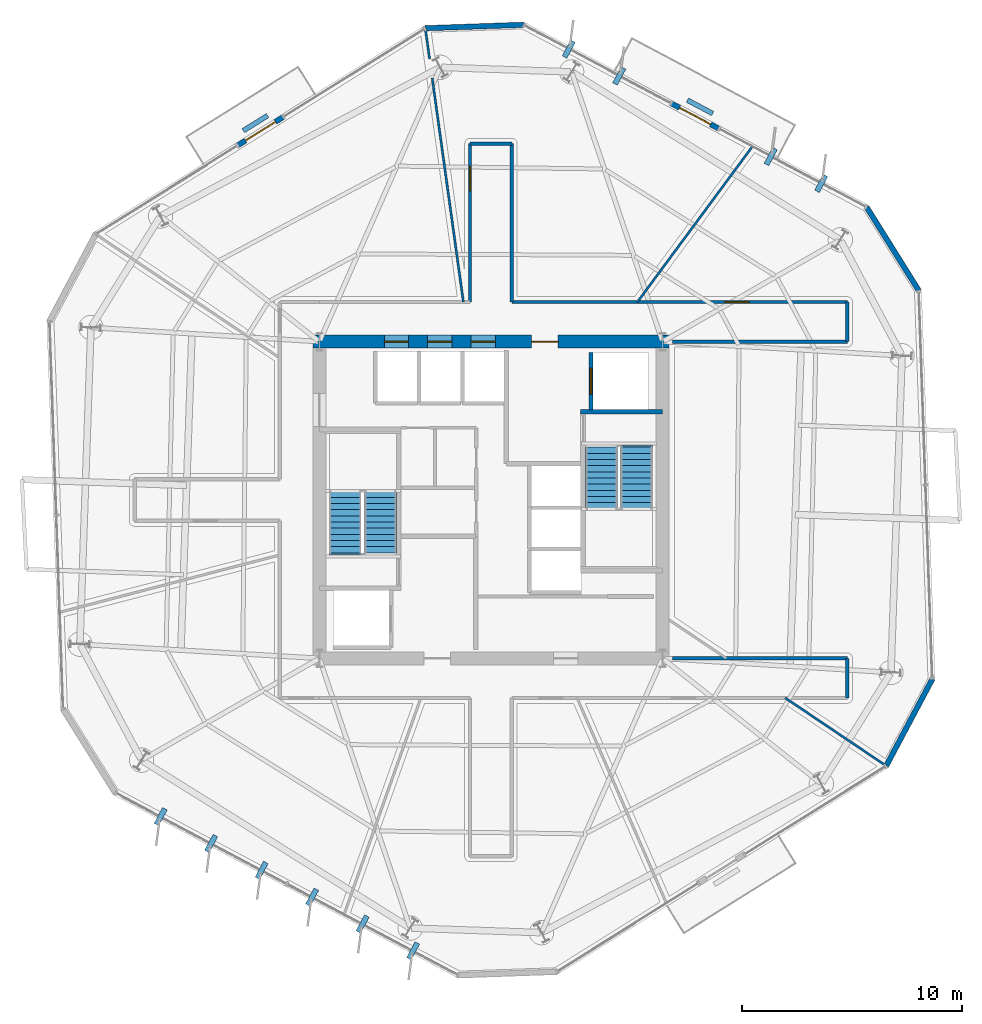
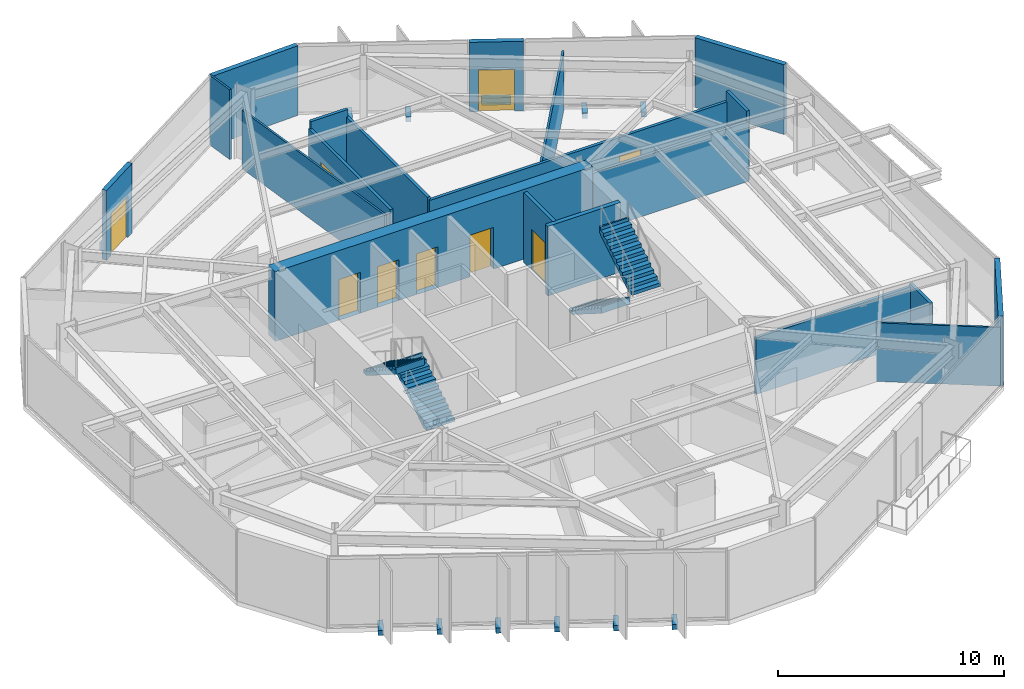
# One storey, part 8 of 12: 22 walls, 10 discrete accessories, 9 doors, 4 stair flights, 9 openings, 2 elements without a shape of their own.
"""IFC4 building model written with IfcOpenShell, lengths in metres."""

from ifc_helpers import new_model, si_unit, direction, frame, frame_2d, origin, origin_2d, place, context, subcontext, project, spatial, polyline, rectangle, outline, extrude, material, layer, layer_set, type_object, element, fill, aggregate, save


model = new_model("IFC4")

# Units and contexts
model_context = context("Model", 3, precision=1e-05, world=origin(), true_north=direction((0.0, 1.0)))
body_context = subcontext(model_context, "Body", "Model", "MODEL_VIEW")
ifc_project = project(units=[si_unit("LENGTHUNIT", "METRE"), si_unit("AREAUNIT", "SQUARE_METRE"), si_unit("VOLUMEUNIT", "CUBIC_METRE"), si_unit("PLANEANGLEUNIT", "RADIAN"), si_unit("MASSUNIT", "GRAM", prefix="KILO")], contexts=[model_context])

# Site, building, storey
site_placement = place(None, origin())
site = spatial("IfcSite", under=ifc_project, at=site_placement, CompositionType="ELEMENT")
building_placement = place(site_placement, origin())
building = spatial("IfcBuilding", under=site, at=building_placement, Name="Kranzbogen Civic Tower", CompositionType="ELEMENT")
storey_placement = place(building_placement, frame((0.0, 0.0, 150.39990234375)))
storey = spatial("IfcBuildingStorey", under=building, at=storey_placement, Name="L36", CompositionType="ELEMENT", Elevation=150.39990234375)

# Wall, opening, door
ifc_material_1 = material(Name="Double-Stud Acoustic Gypsum Partition")
ifc_layer_1 = layer(ifc_material_1, 0.14990234375, Name="Double-Stud Acoustic Gypsum Partition")
ifc_layer_set_1 = layer_set([ifc_layer_1], Name="Double-Stud Acoustic Gypsum Partition")
wall_type_1 = type_object("IfcWallType", Name="Acoustic Corridor and Clinical Partition 150 mm", PredefinedType="PARTITIONING", material=ifc_layer_set_1)
wall_1_placement = place(storey_placement, frame((24.050048828125, 34.0, 0.0), z_axis=(0.0, 0.0, 1.0), x_axis=(0.0, 1.0, 0.0)))
wall_1 = element("IfcWall", 1, at=wall_1_placement, inside=storey, type_object=wall_type_1, Name="L36 corridor partition 11", PredefinedType="PARTITIONING", context=body_context, shape_type="SweptSolid", body=[
    extrude(rectangle(XDim=7.199951171875, YDim=0.14990234375, at=frame_2d((3.60009765625, 0.0))), origin(), (0.0, 0.0, 1.0), 3.360107421875),
])
opening_1_placement = place(wall_1_placement, frame((5.06396484375, 0.0, 0.0)))
opening_1 = element("IfcOpeningElement", 2, at=opening_1_placement, cuts=wall_1, Name="Opening D-COR60", PredefinedType="OPENING", context=body_context, shape_type="SweptSolid", body=[
    extrude(rectangle(XDim=1.10009765625, YDim=2.199951171875, at=frame_2d((0.550048828125, 1.10009765625))), frame((0.0, 0.0849609375, 0.0), z_axis=(0.0, -1.0, 0.0), x_axis=(1.0, 0.0, 0.0)), (0.0, 0.0, 1.0), 0.169921875),
])
ifc_material_2 = material(Name="Oak Timber and Fire Core", Category="wood")
door_type_1 = type_object("IfcDoorType", Name="Corridor Acoustic Fire Door 1100x2200", OperationType="NOTDEFINED", PredefinedType="DOOR", material=ifc_material_2)
door_1_placement = place(opening_1_placement, origin())
door_1 = element("IfcDoor", 3, at=door_1_placement, inside=storey, type_object=door_type_1, Name="L36 Central Mail Post Room door", OperationType="SINGLE_SWING_LEFT", OverallHeight=2.199951171875, OverallWidth=1.10009765625, PredefinedType="DOOR", context=body_context, shape_type="SweptSolid", body=[
    extrude(rectangle(XDim=1.10009765625, YDim=2.199951171875, at=frame_2d((0.550048828125, 1.10009765625))), frame((0.0, 0.02490234375, 0.0), z_axis=(0.0, -1.0, 0.0), x_axis=(1.0, 0.0, 0.0)), (0.0, 0.0, 1.0), 0.050048828125),
])
fill(opening_1, door_1)

# Walls
wall_2_placement = place(storey_placement, frame((24.050048828125, 41.199951171875, 0.0), z_axis=(0.0, 0.0, 1.0), x_axis=(1.0, 0.0, 0.0)))
element("IfcWall", 4, at=wall_2_placement, inside=storey, type_object=wall_type_1, Name="L36 corridor partition 12", PredefinedType="PARTITIONING", context=body_context, shape_type="SweptSolid", body=[
    extrude(rectangle(XDim=1.89990234375, YDim=0.14990234375, at=frame_2d((0.949951171875, 0.0))), origin(), (0.0, 0.0, 1.0), 3.760009765625),
])
wall_3_placement = place(storey_placement, frame((25.949951171875, 41.199951171875, 0.0), z_axis=(0.0, 0.0, 1.0), x_axis=(0.0, -1.0, 0.0)))
element("IfcWall", 5, at=wall_3_placement, inside=storey, type_object=wall_type_1, Name="L36 corridor partition 13", PredefinedType="PARTITIONING", context=body_context, shape_type="SweptSolid", body=[
    extrude(rectangle(XDim=7.199951171875, YDim=0.14990234375, at=frame_2d((3.60009765625, 0.0))), origin(), (0.0, 0.0, 1.0), 3.360107421875),
])

# Wall, opening, door
wall_4_placement = place(storey_placement, frame((25.949951171875, 34.0, 0.0), z_axis=(0.0, 0.0, 1.0), x_axis=(1.0, 0.0, 0.0)))
wall_4 = element("IfcWall", 6, at=wall_4_placement, inside=storey, type_object=wall_type_1, Name="L36 corridor partition 14", PredefinedType="PARTITIONING", context=body_context, shape_type="SweptSolid", body=[
    extrude(rectangle(XDim=15.25, YDim=0.14990234375, at=frame_2d((7.625, 0.0))), origin(), (0.0, 0.0, 1.0), 3.210205078125),
])
opening_2_placement = place(wall_4_placement, frame((9.68701171875, 0.0, 0.0)))
opening_2 = element("IfcOpeningElement", 7, at=opening_2_placement, cuts=wall_4, Name="Opening D-COR60", PredefinedType="OPENING", context=body_context, shape_type="SweptSolid", body=[
    extrude(rectangle(XDim=1.10009765625, YDim=2.199951171875, at=frame_2d((0.550048828125, 1.10009765625))), frame((0.0, 0.0849609375, 0.0), z_axis=(0.0, -1.0, 0.0), x_axis=(1.0, 0.0, 0.0)), (0.0, 0.0, 1.0), 0.169921875),
])
door_2_placement = place(opening_2_placement, origin())
door_2 = element("IfcDoor", 8, at=door_2_placement, inside=storey, type_object=door_type_1, Name="L36 Operations Security Control Room door", OperationType="SINGLE_SWING_RIGHT", OverallHeight=2.199951171875, OverallWidth=1.10009765625, PredefinedType="DOOR", context=body_context, shape_type="SweptSolid", body=[
    extrude(rectangle(XDim=1.10009765625, YDim=2.199951171875, at=frame_2d((0.550048828125, 1.10009765625))), frame((0.0, 0.02490234375, 0.0), z_axis=(0.0, -1.0, 0.0), x_axis=(1.0, 0.0, 0.0)), (0.0, 0.0, 1.0), 0.050048828125),
])
fill(opening_2, door_2)

# Walls
wall_5_placement = place(storey_placement, frame((41.199951171875, 34.0, 0.0), z_axis=(0.0, 0.0, 1.0), x_axis=(0.0, -1.0, 0.0)))
element("IfcWall", 9, at=wall_5_placement, inside=storey, type_object=wall_type_1, Name="L36 corridor partition 15", PredefinedType="PARTITIONING", context=body_context, shape_type="SweptSolid", body=[
    extrude(rectangle(XDim=1.800048828125, YDim=0.14990234375, at=frame_2d((0.89990234375, 0.0))), origin(), (0.0, 0.0, 1.0), 3.760009765625),
])
wall_6_placement = place(storey_placement, frame((41.199951171875, 32.199951171875, 0.0), z_axis=(0.0, 0.0, 1.0), x_axis=(-1.0, 0.0, 0.0)))
element("IfcWall", 10, at=wall_6_placement, inside=storey, type_object=wall_type_1, Name="L36 corridor partition 16", PredefinedType="PARTITIONING", context=body_context, shape_type="SweptSolid", body=[
    extrude(rectangle(XDim=7.952880859375, YDim=0.14990234375, at=frame_2d((3.9765625, 0.0))), origin(), (0.0, 0.0, 1.0), 3.210205078125),
])
wall_7_placement = place(storey_placement, frame((33.2470703125, 17.800048828125, 0.0), z_axis=(0.0, 0.0, 1.0), x_axis=(1.0, 0.0, 0.0)))
element("IfcWall", 11, at=wall_7_placement, inside=storey, type_object=wall_type_1, Name="L36 corridor partition 17", PredefinedType="PARTITIONING", context=body_context, shape_type="SweptSolid", body=[
    extrude(rectangle(XDim=7.952880859375, YDim=0.14990234375, at=frame_2d((3.9765625, 0.0))), origin(), (0.0, 0.0, 1.0), 3.050048828125),
])
wall_8_placement = place(storey_placement, frame((41.199951171875, 17.800048828125, 0.0), z_axis=(0.0, 0.0, 1.0), x_axis=(0.0, -1.0, 0.0)))
element("IfcWall", 12, at=wall_8_placement, inside=storey, type_object=wall_type_1, Name="L36 corridor partition 18", PredefinedType="PARTITIONING", context=body_context, shape_type="SweptSolid", body=[
    extrude(rectangle(XDim=1.800048828125, YDim=0.14990234375, at=frame_2d((0.89990234375, 0.0))), origin(), (0.0, 0.0, 1.0), 3.210205078125),
])
ifc_material_3 = material(Name="Architectural Precast Terracotta Concrete C40/50", Category="masonry")
ifc_layer_2 = layer(ifc_material_3, 0.219970703125, Name="Architectural Precast Terracotta Concrete C40/50")
ifc_layer_set_2 = layer_set([ifc_layer_2], Name="Architectural Precast Terracotta Concrete C40/50")
wall_type_2 = type_object("IfcWallType", Name="Architectural Tree Planter Kerb Wall 220 mm", PredefinedType="USERDEFINED", material=ifc_layer_set_2)
wall_9_placement = place(storey_placement, frame((14.843994140625, 42.47802734375, 0.0), z_axis=(0.0, 0.0, 1.0), x_axis=(-0.848272680747, -0.52955968417, 0.0)))
element("IfcWall", 13, at=wall_9_placement, inside=storey, type_object=wall_type_2, Name="L36 landscaped tree balcony planter L36-TB1", ObjectType="PLANTER_WALL", PredefinedType="USERDEFINED", context=body_context, shape_type="SweptSolid", body=[
    extrude(rectangle(XDim=1.299072265625, YDim=0.219970703125, at=frame_2d((0.6494140625, 0.0))), origin(), (0.0, 0.0, 1.0), 0.400146484375),
])
wall_10_placement = place(storey_placement, frame((35.0791015625, 42.571044921875, 0.0), z_axis=(0.0, 0.0, 1.0), x_axis=(-0.883152186811, 0.469086575091, 0.0)))
element("IfcWall", 14, at=wall_10_placement, inside=storey, type_object=wall_type_2, Name="L36 landscaped tree balcony planter L36-ST", ObjectType="PLANTER_WALL", PredefinedType="USERDEFINED", context=body_context, shape_type="SweptSolid", body=[
    extrude(rectangle(XDim=1.300048828125, YDim=0.219970703125, at=frame_2d((0.64990234375, 0.0))), origin(), (0.0, 0.0, 1.0), 0.400146484375),
])

# Wall, openings, doors
ifc_material_4 = material(Name="Concrete C55/67", Category="concrete")
ifc_layer_3 = layer(ifc_material_4, 0.60009765625, Name="Concrete C55/67")
ifc_layer_set_3 = layer_set([ifc_layer_3], Name="Concrete C55/67")
wall_type_3 = type_object("IfcWallType", Name="Central Core Shear Wall 600 mm", PredefinedType="SHEAR", material=ifc_layer_set_3)
wall_11_placement = place(storey_placement, frame((33.10009765625, 32.199951171875, 0.0), z_axis=(0.0, 0.0, 1.0), x_axis=(-1.0, 0.0, 0.0)))
wall_11 = element("IfcWall", 15, at=wall_11_placement, inside=storey, type_object=wall_type_3, Name="L36 central core North shear wall", PredefinedType="SHEAR", context=body_context, shape_type="SweptSolid", body=[
    extrude(rectangle(XDim=16.2001953125, YDim=0.60009765625, at=frame_2d((8.10009765625, 0.0))), origin(), (0.0, 0.0, 1.0), 3.760009765625),
])
opening_3_placement = place(wall_11_placement, frame((5.050048828125, 0.0, 0.0)))
opening_3 = element("IfcOpeningElement", 16, at=opening_3_placement, cuts=wall_11, Name="Opening D-EX120", PredefinedType="OPENING", context=body_context, shape_type="SweptSolid", body=[
    extrude(rectangle(XDim=1.199951171875, YDim=2.25, at=frame_2d((0.60009765625, 1.125))), frame((0.0, 0.31005859375, 0.0), z_axis=(0.0, -1.0, 0.0), x_axis=(1.0, 0.0, 0.0)), (0.0, 0.0, 1.0), 0.6201171875),
])
opening_4_placement = place(wall_11_placement, frame((11.85009765625, 0.0, 0.0)))
opening_4 = element("IfcOpeningElement", 17, at=opening_4_placement, cuts=wall_11, Name="Opening LD-MP-01", PredefinedType="OPENING", context=body_context, shape_type="SweptSolid", body=[
    extrude(rectangle(XDim=1.10009765625, YDim=2.199951171875, at=frame_2d((0.550048828125, 1.10009765625))), frame((0.0, 0.31005859375, 0.0), z_axis=(0.0, -1.0, 0.0), x_axis=(1.0, 0.0, 0.0)), (0.0, 0.0, 1.0), 0.6201171875),
])
opening_5_placement = place(wall_11_placement, frame((9.875, 0.0, 0.0)))
opening_5 = element("IfcOpeningElement", 18, at=opening_5_placement, cuts=wall_11, Name="Opening LD-MP-02", PredefinedType="OPENING", context=body_context, shape_type="SweptSolid", body=[
    extrude(rectangle(XDim=1.10009765625, YDim=2.199951171875, at=frame_2d((0.550048828125, 1.10009765625))), frame((0.0, 0.31005859375, 0.0), z_axis=(0.0, -1.0, 0.0), x_axis=(1.0, 0.0, 0.0)), (0.0, 0.0, 1.0), 0.6201171875),
])
opening_6_placement = place(wall_11_placement, frame((7.89990234375, 0.0, 0.0)))
opening_6 = element("IfcOpeningElement", 19, at=opening_6_placement, cuts=wall_11, Name="Opening LD-MP-03", PredefinedType="OPENING", context=body_context, shape_type="SweptSolid", body=[
    extrude(rectangle(XDim=1.10009765625, YDim=2.199951171875, at=frame_2d((0.550048828125, 1.10009765625))), frame((0.0, 0.31005859375, 0.0), z_axis=(0.0, -1.0, 0.0), x_axis=(1.0, 0.0, 0.0)), (0.0, 0.0, 1.0), 0.6201171875),
])
ifc_material_5 = material(Name="Steel S355", Category="steel")
door_type_2 = type_object("IfcDoorType", Name="Exit Passageway Fire Door 1200x2250", OperationType="NOTDEFINED", PredefinedType="DOOR", material=ifc_material_5)
door_3_placement = place(opening_3_placement, origin())
door_3 = element("IfcDoor", 20, at=door_3_placement, inside=storey, type_object=door_type_2, Name="L36 East firefighting lobby corridor door", OperationType="SINGLE_SWING_RIGHT", OverallHeight=2.25, OverallWidth=1.199951171875, PredefinedType="DOOR", context=body_context, shape_type="SweptSolid", body=[
    extrude(rectangle(XDim=1.199951171875, YDim=2.25, at=frame_2d((0.60009765625, 1.125))), frame((0.0, 0.02490234375, 0.0), z_axis=(0.0, -1.0, 0.0), x_axis=(1.0, 0.0, 0.0)), (0.0, 0.0, 1.0), 0.050048828125),
])
fill(opening_3, door_3)
ifc_material_6 = material(Name="Pale Anodised Aluminium", Category="aluminium")
door_type_3 = type_object("IfcDoorType", Name="Passenger Lift Sliding Landing Door 1100x2200", OperationType="DOUBLE_DOOR_SLIDING", PredefinedType="DOOR", material=ifc_material_6)
door_4_placement = place(opening_4_placement, origin())
door_4 = element("IfcDoor", 21, at=door_4_placement, inside=storey, type_object=door_type_3, Name="L36 lift MP-01 sliding landing door", OperationType="DOUBLE_DOOR_SLIDING", OverallHeight=2.199951171875, OverallWidth=1.10009765625, PredefinedType="DOOR", context=body_context, shape_type="SweptSolid", body=[
    extrude(rectangle(XDim=1.10009765625, YDim=2.199951171875, at=frame_2d((0.550048828125, 1.10009765625))), frame((0.0, 0.02490234375, 0.0), z_axis=(0.0, -1.0, 0.0), x_axis=(1.0, 0.0, 0.0)), (0.0, 0.0, 1.0), 0.050048828125),
])
fill(opening_4, door_4)
door_5_placement = place(opening_5_placement, origin())
door_5 = element("IfcDoor", 22, at=door_5_placement, inside=storey, type_object=door_type_3, Name="L36 lift MP-02 sliding landing door", OperationType="DOUBLE_DOOR_SLIDING", OverallHeight=2.199951171875, OverallWidth=1.10009765625, PredefinedType="DOOR", context=body_context, shape_type="SweptSolid", body=[
    extrude(rectangle(XDim=1.10009765625, YDim=2.199951171875, at=frame_2d((0.550048828125, 1.10009765625))), frame((0.0, 0.02490234375, 0.0), z_axis=(0.0, -1.0, 0.0), x_axis=(1.0, 0.0, 0.0)), (0.0, 0.0, 1.0), 0.050048828125),
])
fill(opening_5, door_5)
door_6_placement = place(opening_6_placement, origin())
door_6 = element("IfcDoor", 23, at=door_6_placement, inside=storey, type_object=door_type_3, Name="L36 lift MP-03 sliding landing door", OperationType="DOUBLE_DOOR_SLIDING", OverallHeight=2.199951171875, OverallWidth=1.10009765625, PredefinedType="DOOR", context=body_context, shape_type="SweptSolid", body=[
    extrude(rectangle(XDim=1.10009765625, YDim=2.199951171875, at=frame_2d((0.550048828125, 1.10009765625))), frame((0.0, 0.02490234375, 0.0), z_axis=(0.0, -1.0, 0.0), x_axis=(1.0, 0.0, 0.0)), (0.0, 0.0, 1.0), 0.050048828125),
])
fill(opening_6, door_6)

# Walls
ifc_material_7 = material(Name="Concrete C45/55", Category="concrete")
ifc_layer_4 = layer(ifc_material_7, 0.219970703125, Name="Concrete C45/55")
ifc_layer_set_4 = layer_set([ifc_layer_4], Name="Concrete C45/55")
wall_type_4 = type_object("IfcWallType", Name="Core Internal Stair Structural Wall 220 mm", PredefinedType="SOLIDWALL", material=ifc_layer_set_4)
wall_12_placement = place(storey_placement, frame((29.080078125, 29.010009765625, 0.0), z_axis=(0.0, 0.0, 1.0), x_axis=(1.0, 0.0, 0.0)))
element("IfcWall", 24, at=wall_12_placement, inside=storey, type_object=wall_type_4, Name="L36 ST-T2 North structural stair wall", PredefinedType="SOLIDWALL", context=body_context, shape_type="SweptSolid", body=[
    extrude(rectangle(XDim=3.719970703125, YDim=0.219970703125, at=frame_2d((1.85986328125, 0.0))), origin(), (0.0, 0.0, 1.0), 3.760009765625),
])
ifc_material_8 = material(Name="Demountable Aluminium and Gypsum Partition", Category="aluminium")
ifc_layer_5 = layer(ifc_material_8, 0.10009765625, Name="Demountable Aluminium and Gypsum Partition")
ifc_layer_set_5 = layer_set([ifc_layer_5], Name="Demountable Aluminium and Gypsum Partition")
wall_type_5 = type_object("IfcWallType", Name="Demountable Office Partition 100 mm", PredefinedType="MOVABLE", material=ifc_layer_set_5)
wall_13_placement = place(storey_placement, frame((31.656982421875, 34.0, 0.0), z_axis=(0.0, 0.0, 1.0), x_axis=(0.594620152086, 0.804006762865, 0.0)))
element("IfcWall", 25, at=wall_13_placement, inside=storey, type_object=wall_type_5, Name="L36 radial room partition 01", PredefinedType="MOVABLE", context=body_context, shape_type="SweptSolid", body=[
    extrude(rectangle(XDim=8.778564453125, YDim=0.10009765625, at=frame_2d((4.38916015625, 0.0))), origin(), (0.0, 0.0, 1.0), 3.16015625),
])
wall_14_placement = place(storey_placement, frame((23.7470703125, 34.0, 0.0), z_axis=(0.0, 0.0, 1.0), x_axis=(-0.137839547671, 0.990454571951, 0.0)))
element("IfcWall", 26, at=wall_14_placement, inside=storey, type_object=wall_type_5, Name="L36 radial room partition 02 part 1", PredefinedType="MOVABLE", context=body_context, shape_type="SweptSolid", body=[
    extrude(rectangle(XDim=10.280029296875, YDim=0.10009765625, at=frame_2d((5.14013671875, 0.0))), origin(), (0.0, 0.0, 1.0), 3.16015625),
])
wall_15_placement = place(storey_placement, frame((22.208984375, 45.051025390625, 0.0), z_axis=(0.0, 0.0, 1.0), x_axis=(-0.137740294841, 0.990468379696, 0.0)))
element("IfcWall", 27, at=wall_15_placement, inside=storey, type_object=wall_type_5, Name="L36 radial room partition 02 part 2", PredefinedType="MOVABLE", context=body_context, shape_type="SweptSolid", body=[
    extrude(rectangle(XDim=1.39306640625, YDim=0.10009765625, at=frame_2d((0.696533203125, 0.0))), origin(), (0.0, 0.0, 1.0), 3.760009765625),
])
wall_16_placement = place(storey_placement, frame((38.381103515625, 16.0, 0.0), z_axis=(0.0, 0.0, 1.0), x_axis=(0.829760156415, -0.55812013297, 0.0)))
element("IfcWall", 28, at=wall_16_placement, inside=storey, type_object=wall_type_5, Name="L36 radial room partition 08", PredefinedType="MOVABLE", context=body_context, shape_type="SweptSolid", body=[
    extrude(rectangle(XDim=5.51123046875, YDim=0.10009765625, at=frame_2d((2.755615234375, 0.0))), origin(), (0.0, 0.0, 1.0), 3.16015625),
])

# Wall, opening, door
ifc_material_9 = material(Name="Gypsum Fireboard Shaftliner")
ifc_layer_6 = layer(ifc_material_9, 0.175048828125, Name="Gypsum Fireboard Shaftliner")
ifc_layer_set_6 = layer_set([ifc_layer_6], Name="Gypsum Fireboard Shaftliner")
wall_type_6 = type_object("IfcWallType", Name="Fire-Rated Lift and Service Shaft Wall 175 mm", PredefinedType="PARTITIONING", material=ifc_layer_set_6)
wall_17_placement = place(storey_placement, frame((29.550048828125, 29.10009765625, 0.0), z_axis=(0.0, 0.0, 1.0), x_axis=(0.0, 1.0, 0.0)))
wall_17 = element("IfcWall", 29, at=wall_17_placement, inside=storey, type_object=wall_type_6, Name="L36 lift FF-02 landing wall", PredefinedType="PARTITIONING", context=body_context, shape_type="SweptSolid", body=[
    extrude(rectangle(XDim=2.599853515625, YDim=0.175048828125, at=frame_2d((1.2998046875, 0.0))), origin(), (0.0, 0.0, 1.0), 3.760009765625),
])
opening_7_placement = place(wall_17_placement, frame((0.699951171875, 0.0, 0.0)))
opening_7 = element("IfcOpeningElement", 30, at=opening_7_placement, cuts=wall_17, Name="Opening LD-FF-02", PredefinedType="OPENING", context=body_context, shape_type="SweptSolid", body=[
    extrude(rectangle(XDim=1.199951171875, YDim=2.199951171875, at=frame_2d((0.60009765625, 1.10009765625))), frame((0.0, 0.09765625, 0.0), z_axis=(0.0, -1.0, 0.0), x_axis=(1.0, 0.0, 0.0)), (0.0, 0.0, 1.0), 0.195068359375),
])
door_type_4 = type_object("IfcDoorType", Name="Firefighting and Stretcher Lift Sliding Landing Door 1200x2200", OperationType="DOUBLE_DOOR_SLIDING", PredefinedType="DOOR", material=ifc_material_6)
door_7_placement = place(opening_7_placement, origin())
door_7 = element("IfcDoor", 31, at=door_7_placement, inside=storey, type_object=door_type_4, Name="L36 lift FF-02 sliding landing door", OperationType="DOUBLE_DOOR_SLIDING", OverallHeight=2.199951171875, OverallWidth=1.199951171875, PredefinedType="DOOR", context=body_context, shape_type="SweptSolid", body=[
    extrude(rectangle(XDim=1.199951171875, YDim=2.199951171875, at=frame_2d((0.60009765625, 1.10009765625))), frame((0.0, 0.02490234375, 0.0), z_axis=(0.0, -1.0, 0.0), x_axis=(1.0, 0.0, 0.0)), (0.0, 0.0, 1.0), 0.050048828125),
])
fill(opening_7, door_7)

ifc_layer_7 = layer(ifc_material_6, 0.239990234375, Name="Pale Anodised Aluminium")
ifc_layer_set_7 = layer_set([ifc_layer_7], Name="Pale Anodised Aluminium")
wall_type_7 = type_object("IfcWallType", Name="Insulated Aluminium Facade Portal Wall 240 mm", PredefinedType="STANDARD", material=ifc_layer_set_7)
wall_18_placement = place(storey_placement, frame((35.343017578125, 41.89404296875, 0.0), z_axis=(0.0, 0.0, 1.0), x_axis=(-0.883005107209, 0.469363378037, 0.0)))
wall_18 = element("IfcWall", 32, at=wall_18_placement, inside=storey, type_object=wall_type_7, Name="L36 exterior entrance portal wall 1", PredefinedType="STANDARD", context=body_context, shape_type="SweptSolid", body=[
    extrude(rectangle(XDim=2.401123046875, YDim=0.239990234375, at=frame_2d((1.20068359375, 0.0))), origin(), (0.0, 0.0, 1.0), 3.760009765625),
])
opening_8_placement = place(wall_18_placement, frame((0.39990234375, 0.0, 0.0)))
opening_8 = element("IfcOpeningElement", 33, at=opening_8_placement, cuts=wall_18, Name="Opening D-TER", PredefinedType="OPENING", context=body_context, shape_type="SweptSolid", body=[
    extrude(rectangle(XDim=1.60009765625, YDim=2.25, at=frame_2d((0.800048828125, 1.125))), frame((0.0, 0.1298828125, 0.0), z_axis=(0.0, -1.0, 0.0), x_axis=(1.0, 0.0, 0.0)), (0.0, 0.0, 1.0), 0.260009765625),
])
ifc_material_10 = material(Name="Anodised Bronze and Triple Glass", Category="glass")
door_type_5 = type_object("IfcDoorType", Name="Glazed Terrace and Balcony Double Door 1600x2250", OperationType="DOUBLE_DOOR_SINGLE_SWING", PredefinedType="DOOR", material=ifc_material_10)
door_8_placement = place(opening_8_placement, frame((1.60009765625, 0.0, 0.0), z_axis=(0.0, 0.0, 1.0), x_axis=(-1.0, 0.0, 0.0)))
door_8 = element("IfcDoor", 34, at=door_8_placement, inside=storey, type_object=door_type_5, Name="L36 spiral terrace access door L36-ST", OperationType="DOUBLE_DOOR_SINGLE_SWING", OverallHeight=2.25, OverallWidth=1.60009765625, PredefinedType="DOOR", context=body_context, shape_type="SweptSolid", body=[
    extrude(rectangle(XDim=1.60009765625, YDim=2.25, at=frame_2d((0.800048828125, 1.125))), frame((0.0, 0.02490234375, 0.0), z_axis=(0.0, -1.0, 0.0), x_axis=(1.0, 0.0, 0.0)), (0.0, 0.0, 1.0), 0.050048828125),
])
fill(opening_8, door_8)

# Wall
wall_19_placement = place(storey_placement, frame((26.48193359375, 46.60498046875, 0.0), z_axis=(0.0, 0.0, 1.0), x_axis=(-0.999390988908, -0.034894860495, 0.0)))
element("IfcWall", 35, at=wall_19_placement, inside=storey, type_object=wall_type_7, Name="L36 chamfered corner facade spandrel 1", PredefinedType="STANDARD", context=body_context, shape_type="SweptSolid", body=[
    extrude(rectangle(XDim=4.470703125, YDim=0.239990234375, at=frame_2d((2.2353515625, 0.0))), origin(), (0.0, 0.0, 1.0), 3.760009765625),
])

# Wall, opening, door
wall_20_placement = place(storey_placement, frame((15.5390625, 42.404052734375, 0.0), z_axis=(0.0, 0.0, 1.0), x_axis=(-0.847998304005, -0.529998940003, 0.0)))
wall_20 = element("IfcWall", 36, at=wall_20_placement, inside=storey, type_object=wall_type_7, Name="L36 exterior entrance portal wall 1", PredefinedType="STANDARD", context=body_context, shape_type="SweptSolid", body=[
    extrude(rectangle(XDim=2.39990234375, YDim=0.239990234375, at=frame_2d((1.199951171875, 0.0))), origin(), (0.0, 0.0, 1.0), 3.760009765625),
])
opening_9_placement = place(wall_20_placement, frame((0.39990234375, 0.0, 0.0)))
opening_9 = element("IfcOpeningElement", 37, at=opening_9_placement, cuts=wall_20, Name="Opening D-TER", PredefinedType="OPENING", context=body_context, shape_type="SweptSolid", body=[
    extrude(rectangle(XDim=1.60009765625, YDim=2.25, at=frame_2d((0.800048828125, 1.125))), frame((0.0, 0.1298828125, 0.0), z_axis=(0.0, -1.0, 0.0), x_axis=(1.0, 0.0, 0.0)), (0.0, 0.0, 1.0), 0.260009765625),
])
door_9_placement = place(opening_9_placement, frame((1.60009765625, 0.0, 0.0), z_axis=(0.0, 0.0, 1.0), x_axis=(-1.0, 0.0, 0.0)))
door_9 = element("IfcDoor", 38, at=door_9_placement, inside=storey, type_object=door_type_5, Name="L36 tree balcony access door L36-TB1", OperationType="DOUBLE_DOOR_SINGLE_SWING", OverallHeight=2.25, OverallWidth=1.60009765625, PredefinedType="DOOR", context=body_context, shape_type="SweptSolid", body=[
    extrude(rectangle(XDim=1.60009765625, YDim=2.25, at=frame_2d((0.800048828125, 1.125))), frame((0.0, 0.02490234375, 0.0), z_axis=(0.0, -1.0, 0.0), x_axis=(1.0, 0.0, 0.0)), (0.0, 0.0, 1.0), 0.050048828125),
])
fill(opening_9, door_9)

# Walls
wall_21_placement = place(storey_placement, frame((42.969970703125, 12.9130859375, 0.0), z_axis=(0.0, 0.0, 1.0), x_axis=(0.46919913514, 0.883092391307, 0.0)))
element("IfcWall", 39, at=wall_21_placement, inside=storey, type_object=wall_type_7, Name="L36 chamfered corner facade spandrel 5", PredefinedType="STANDARD", context=body_context, shape_type="SweptSolid", body=[
    extrude(rectangle(XDim=4.4716796875, YDim=0.239990234375, at=frame_2d((2.23583984375, 0.0))), origin(), (0.0, 0.0, 1.0), 3.760009765625),
])
wall_22_placement = place(storey_placement, frame((44.451904296875, 34.51806640625, 0.0), z_axis=(0.0, 0.0, 1.0), x_axis=(-0.529822232534, 0.848108720573, 0.0)))
element("IfcWall", 40, at=wall_22_placement, inside=storey, type_object=wall_type_7, Name="L36 chamfered corner facade spandrel 6", PredefinedType="STANDARD", context=body_context, shape_type="SweptSolid", body=[
    extrude(rectangle(XDim=4.47119140625, YDim=0.239990234375, at=frame_2d((2.235595703125, 0.0))), origin(), (0.0, 0.0, 1.0), 3.760009765625),
])

# Stair, stair flights
ifc_material_11 = material(Name="Precast concrete C40/50", Category="concrete")
stair_type_1 = type_object("IfcStairType", Name="Tower Core Pressurized Dogleg Stair 1450", PredefinedType="HALF_TURN_STAIR", material=ifc_material_11)
stair_1_placement = place(storey_placement, origin())
stair_1 = element("IfcStair", 41, at=stair_1_placement, inside=storey, type_object=stair_type_1, Name="L36 Tower Core Pressurized Stair 1", PredefinedType="HALF_TURN_STAIR")
stair_flight_type = type_object("IfcStairFlightType", Name="Precast Concrete Stair Flight R180", PredefinedType="STRAIGHT", material=ifc_material_11)
stair_flight_1_placement = place(storey_placement, frame((19.97509765625, 22.60009765625, 0.0), z_axis=(0.0, 0.0, 1.0), x_axis=(0.0, 1.0, 0.0)))
stair_flight_1 = element("IfcStairFlight", 42, at=stair_flight_1_placement, type_object=stair_flight_type, Name="ST-T1 flight 1", NumberOfRisers=11, NumberOfTreads=10, PredefinedType="STRAIGHT", RiserHeight=0.181818182, TreadLength=0.28, context=body_context, shape_type="SweptSolid", body=[
    extrude(outline(polyline([(0.0, 0.0), (0.0, 0.181884765625), (0.280029296875, 0.181884765625), (0.280029296875, 0.363525390625), (0.56005859375, 0.363525390625), (0.56005859375, 0.54541015625), (0.840087890625, 0.54541015625), (0.840087890625, 0.727294921875), (1.1201171875, 0.727294921875), (1.1201171875, 0.9091796875), (1.39990234375, 0.9091796875), (1.39990234375, 1.0908203125), (1.679931640625, 1.0908203125), (1.679931640625, 1.272705078125), (1.9599609375, 1.272705078125), (1.9599609375, 1.45458984375), (2.239990234375, 1.45458984375), (2.239990234375, 1.636474609375), (2.52001953125, 1.636474609375), (2.52001953125, 1.818115234375), (2.800048828125, 1.818115234375), (2.800048828125, 2.0), (2.880126953125, 2.0), (2.880126953125, 1.639404296875), (0.275146484375, 0.0), (0.0, 0.0)])), frame((0.0, 0.72509765625, 0.0), z_axis=(0.0, -1.0, 0.0), x_axis=(1.0, 0.0, 0.0)), (0.0, 0.0, 1.0), 1.449951171875),
])
stair_flight_2_placement = place(storey_placement, frame((18.375, 25.39990234375, 2.0), z_axis=(0.0, 0.0, 1.0), x_axis=(0.0, -1.0, 0.0)))
stair_flight_2 = element("IfcStairFlight", 43, at=stair_flight_2_placement, type_object=stair_flight_type, Name="ST-T1 flight 2", NumberOfRisers=11, NumberOfTreads=10, PredefinedType="STRAIGHT", RiserHeight=0.181818182, TreadLength=0.28, context=body_context, shape_type="SweptSolid", body=[
    extrude(outline(polyline([(0.0, 0.0), (0.0, 0.181884765625), (0.280029296875, 0.181884765625), (0.280029296875, 0.363525390625), (0.56005859375, 0.363525390625), (0.56005859375, 0.54541015625), (0.840087890625, 0.54541015625), (0.840087890625, 0.727294921875), (1.1201171875, 0.727294921875), (1.1201171875, 0.9091796875), (1.39990234375, 0.9091796875), (1.39990234375, 1.0908203125), (1.679931640625, 1.0908203125), (1.679931640625, 1.272705078125), (1.9599609375, 1.272705078125), (1.9599609375, 1.45458984375), (2.239990234375, 1.45458984375), (2.239990234375, 1.636474609375), (2.52001953125, 1.636474609375), (2.52001953125, 1.818115234375), (2.800048828125, 1.818115234375), (2.800048828125, 2.0), (2.880126953125, 2.0), (2.880126953125, 1.639404296875), (0.275146484375, 0.0), (0.0, 0.0)])), frame((0.0, 0.72509765625, 0.0), z_axis=(0.0, -1.0, 0.0), x_axis=(1.0, 0.0, 0.0)), (0.0, 0.0, 1.0), 1.449951171875),
])
aggregate(stair_1, [stair_flight_1, stair_flight_2])

stair_type_2 = type_object("IfcStairType", Name="Tower Core Secondary Dogleg Stair 1450", PredefinedType="HALF_TURN_STAIR", material=ifc_material_11)
stair_2_placement = place(storey_placement, origin())
stair_2 = element("IfcStair", 44, at=stair_2_placement, inside=storey, type_object=stair_type_2, Name="L36 Tower Core Pressurized Stair 2", PredefinedType="HALF_TURN_STAIR")
stair_flight_3_placement = place(storey_placement, frame((30.02490234375, 27.39990234375, 0.0), z_axis=(0.0, 0.0, 1.0), x_axis=(0.0, -1.0, 0.0)))
stair_flight_3 = element("IfcStairFlight", 45, at=stair_flight_3_placement, type_object=stair_flight_type, Name="ST-T2 flight 1", NumberOfRisers=11, NumberOfTreads=10, PredefinedType="STRAIGHT", RiserHeight=0.181818182, TreadLength=0.28, context=body_context, shape_type="SweptSolid", body=[
    extrude(outline(polyline([(0.0, 0.0), (0.0, 0.181884765625), (0.280029296875, 0.181884765625), (0.280029296875, 0.363525390625), (0.56005859375, 0.363525390625), (0.56005859375, 0.54541015625), (0.840087890625, 0.54541015625), (0.840087890625, 0.727294921875), (1.1201171875, 0.727294921875), (1.1201171875, 0.9091796875), (1.39990234375, 0.9091796875), (1.39990234375, 1.0908203125), (1.679931640625, 1.0908203125), (1.679931640625, 1.272705078125), (1.9599609375, 1.272705078125), (1.9599609375, 1.45458984375), (2.239990234375, 1.45458984375), (2.239990234375, 1.636474609375), (2.52001953125, 1.636474609375), (2.52001953125, 1.818115234375), (2.800048828125, 1.818115234375), (2.800048828125, 2.0), (2.880126953125, 2.0), (2.880126953125, 1.639404296875), (0.275146484375, 0.0), (0.0, 0.0)])), frame((0.0, 0.72509765625, 0.0), z_axis=(0.0, -1.0, 0.0), x_axis=(1.0, 0.0, 0.0)), (0.0, 0.0, 1.0), 1.449951171875),
])
stair_flight_4_placement = place(storey_placement, frame((31.625, 24.60009765625, 2.0), z_axis=(0.0, 0.0, 1.0), x_axis=(0.0, 1.0, 0.0)))
stair_flight_4 = element("IfcStairFlight", 46, at=stair_flight_4_placement, type_object=stair_flight_type, Name="ST-T2 flight 2", NumberOfRisers=11, NumberOfTreads=10, PredefinedType="STRAIGHT", RiserHeight=0.181818182, TreadLength=0.28, context=body_context, shape_type="SweptSolid", body=[
    extrude(outline(polyline([(0.0, 0.0), (0.0, 0.181884765625), (0.280029296875, 0.181884765625), (0.280029296875, 0.363525390625), (0.56005859375, 0.363525390625), (0.56005859375, 0.54541015625), (0.840087890625, 0.54541015625), (0.840087890625, 0.727294921875), (1.1201171875, 0.727294921875), (1.1201171875, 0.9091796875), (1.39990234375, 0.9091796875), (1.39990234375, 1.0908203125), (1.679931640625, 1.0908203125), (1.679931640625, 1.272705078125), (1.9599609375, 1.272705078125), (1.9599609375, 1.45458984375), (2.239990234375, 1.45458984375), (2.239990234375, 1.636474609375), (2.52001953125, 1.636474609375), (2.52001953125, 1.818115234375), (2.800048828125, 1.818115234375), (2.800048828125, 2.0), (2.880126953125, 2.0), (2.880126953125, 1.639404296875), (0.275146484375, 0.0), (0.0, 0.0)])), frame((0.0, 0.72509765625, 0.0), z_axis=(0.0, -1.0, 0.0), x_axis=(1.0, 0.0, 0.0)), (0.0, 0.0, 1.0), 1.449951171875),
])
aggregate(stair_2, [stair_flight_3, stair_flight_4])

# Discrete accessories
discrete_accessory_type = type_object("IfcDiscreteAccessoryType", Name="Structural Curtain-Wall Fin Support Bracket", PredefinedType="BRACKET", material=ifc_material_5)
for number, where, z_axis, x_axis, name in (
    (47, (40.01611328125, 39.39501953125, -0.25), (0.0, 0.0, 1.0), (0.469471562786, 0.882947592859, 0.0), "L36 facade fin support bracket F1-1"),
    (48, (37.719970703125, 40.615966796875, -0.25), (0.0, 0.0, 1.0), (0.469471562786, 0.882947592859, 0.0), "L36 facade fin support bracket F1-2"),
    (49, (30.8330078125, 44.278076171875, -0.25), (0.0, 0.0, 1.0), (0.469471562786, 0.882947592859, 0.0), "L36 facade fin support bracket F1-5"),
    (50, (28.5380859375, 45.4990234375, -0.25), (0.0, 0.0, 1.0), (0.469471562786, 0.882947592859, 0.0), "L36 facade fin support bracket F1-6"),
    (51, (9.98388671875, 10.60498046875, -0.25), (0.0, 0.0, 1.0), (-0.469471562786, -0.882947592859, 0.0), "L36 facade fin support bracket F4-1"),
    (52, (12.280029296875, 9.384033203125, -0.25), (0.0, 0.0, 1.0), (-0.469471562786, -0.882947592859, 0.0), "L36 facade fin support bracket F4-2"),
    (53, (14.574951171875, 8.1630859375, -0.25), (0.0, 0.0, 1.0), (-0.469471562786, -0.882947592859, 0.0), "L36 facade fin support bracket F4-3"),
    (54, (16.87109375, 6.943115234375, -0.25), (0.0, 0.0, 1.0), (-0.469471562786, -0.882947592859, 0.0), "L36 facade fin support bracket F4-4"),
    (55, (19.1669921875, 5.721923828125, -0.25), (0.0, 0.0, 1.0), (-0.469471562786, -0.882947592859, 0.0), "L36 facade fin support bracket F4-5"),
    (56, (21.4619140625, 4.5009765625, -0.25), (0.0, 0.0, 1.0), (-0.469471562786, -0.882947592859, 0.0), "L36 facade fin support bracket F4-6"),
):
    element("IfcDiscreteAccessory", number, at=place(storey_placement, frame(where, z_axis=z_axis, x_axis=x_axis)), inside=storey, type_object=discrete_accessory_type, Name=name, PredefinedType="BRACKET", context=body_context, shape_type="SweptSolid", body=[
        extrude(rectangle(XDim=0.820068359375, YDim=0.239990234375, at=origin_2d()), origin(), (0.0, 0.0, 1.0), 0.280029296875),
    ])

save(model, "model.ifc")
